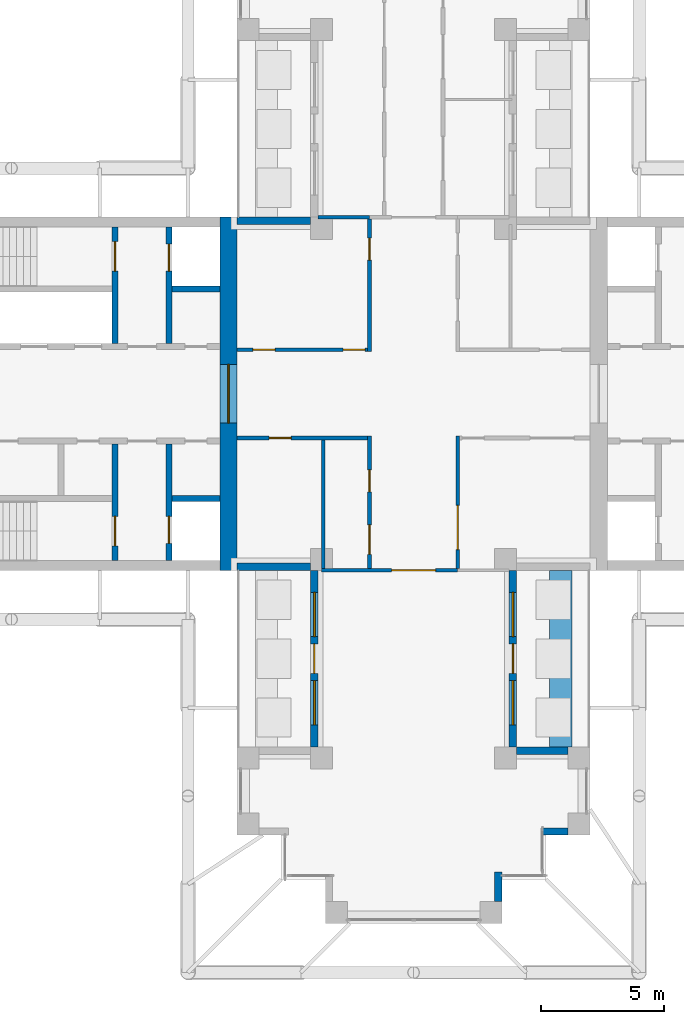
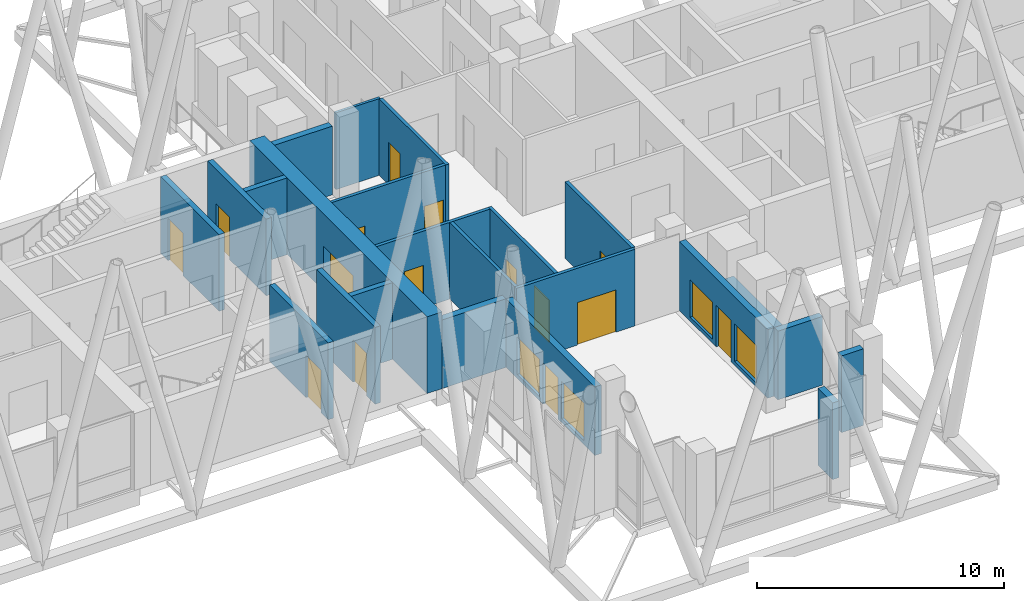
# One storey, part 12 of 19: 23 walls, 15 doors, 4 windows, 19 openings.
"""IFC4 building model written with IfcOpenShell, lengths in metres."""

from ifc_helpers import new_model, si_unit, direction, frame, frame_2d, origin, place, context, subcontext, project, spatial, rectangle, extrude, material, layer, layer_set, type_object, element, fill, save


model = new_model("IFC4")

# Units and contexts
model_context = context("Model", 3, precision=1e-05, world=origin(), true_north=direction((0.0, 1.0)))
body_context = subcontext(model_context, "Body", "Model", "MODEL_VIEW")
ifc_project = project(units=[si_unit("LENGTHUNIT", "METRE"), si_unit("AREAUNIT", "SQUARE_METRE"), si_unit("VOLUMEUNIT", "CUBIC_METRE"), si_unit("PLANEANGLEUNIT", "RADIAN"), si_unit("MASSUNIT", "GRAM", prefix="KILO")], contexts=[model_context])

# Site, building, storey
site_placement = place(None, origin())
site = spatial("IfcSite", under=ifc_project, at=site_placement, CompositionType="ELEMENT")
building_placement = place(site_placement, origin())
building = spatial("IfcBuilding", under=site, at=building_placement, Name="Fustian Cross Tower", CompositionType="ELEMENT")
storey_placement = place(building_placement, frame((0.0, 0.0, 166.5)))
storey = spatial("IfcBuildingStorey", under=building, at=storey_placement, Name="L52", CompositionType="ELEMENT", Elevation=166.5)

# Wall, opening, door
ifc_material_1 = material(Name="Plasterboard on steel stud", Category="steel")
ifc_layer_1 = layer(ifc_material_1, 0.14990234375)
ifc_layer_set_1 = layer_set([ifc_layer_1], Name="Plasterboard on steel stud")
wall_type_1 = type_object("IfcWallType", Name="COMPARTMENT WALL 150 EI 60", PredefinedType="PARTITIONING", material=ifc_layer_set_1)
wall_1_placement = place(storey_placement, frame((-7.199951171875, -1.800048828125, 0.0), z_axis=(0.0, 0.0, 1.0), x_axis=(1.0, 0.0, 0.0)))
wall_1 = element("IfcWall", 1, at=wall_1_placement, inside=storey, type_object=wall_type_1, Name="Partition 5", PredefinedType="PARTITIONING", context=body_context, shape_type="SweptSolid", body=[
    extrude(rectangle(XDim=5.324951171875, YDim=0.14990234375, at=frame_2d((2.66259765625, 0.0))), origin(), (0.0, 0.0, 1.0), 3.800048828125),
])
opening_1_placement = place(wall_1_placement, frame((1.304931640625, 0.0, 0.0)))
opening_1 = element("IfcOpeningElement", 2, at=opening_1_placement, cuts=wall_1, Name="Opening D24009", PredefinedType="OPENING", context=body_context, shape_type="SweptSolid", body=[
    extrude(rectangle(XDim=0.89990234375, YDim=2.10009765625, at=frame_2d((0.449951171875, 1.050048828125))), frame((0.0, 0.0849609375, 0.0), z_axis=(0.0, -1.0, 0.0), x_axis=(1.0, 0.0, 0.0)), (0.0, 0.0, 1.0), 0.169921875),
])
ifc_material_2 = material(Name="Timber fire door set", Category="wood")
door_type_1 = type_object("IfcDoorType", Name="FIRE SWING DOOR 900 FD30S", OperationType="SINGLE_SWING_LEFT", PredefinedType="DOOR", material=ifc_material_2)
door_1_placement = place(opening_1_placement, origin())
door_1 = element("IfcDoor", 3, at=door_1_placement, inside=storey, type_object=door_type_1, Name="Door D24009", OperationType="SINGLE_SWING_LEFT", OverallHeight=2.10009765625, OverallWidth=0.89990234375, PredefinedType="DOOR", context=body_context, shape_type="SweptSolid", body=[
    extrude(rectangle(XDim=0.89990234375, YDim=2.10009765625, at=frame_2d((0.449951171875, 1.050048828125))), frame((0.0, 0.02490234375, 0.0), z_axis=(0.0, -1.0, 0.0), x_axis=(1.0, 0.0, 0.0)), (0.0, 0.0, 1.0), 0.050048828125),
])
fill(opening_1, door_1)

# Wall, openings, doors
wall_2_placement = place(storey_placement, frame((-7.199951171875, 1.800048828125, 0.0), z_axis=(0.0, 0.0, 1.0), x_axis=(1.0, 0.0, 0.0)))
wall_2 = element("IfcWall", 4, at=wall_2_placement, inside=storey, type_object=wall_type_1, Name="Partition 6", PredefinedType="PARTITIONING", context=body_context, shape_type="SweptSolid", body=[
    extrude(rectangle(XDim=5.324951171875, YDim=0.14990234375, at=frame_2d((2.66259765625, 0.0))), origin(), (0.0, 0.0, 1.0), 3.800048828125),
])
opening_2_placement = place(wall_2_placement, frame((0.64990234375, 0.0, 0.0)))
opening_2 = element("IfcOpeningElement", 5, at=opening_2_placement, cuts=wall_2, Name="Opening D24004", PredefinedType="OPENING", context=body_context, shape_type="SweptSolid", body=[
    extrude(rectangle(XDim=0.89990234375, YDim=2.10009765625, at=frame_2d((0.449951171875, 1.050048828125))), frame((0.0, 0.0849609375, 0.0), z_axis=(0.0, -1.0, 0.0), x_axis=(1.0, 0.0, 0.0)), (0.0, 0.0, 1.0), 0.169921875),
])
opening_3_placement = place(wall_2_placement, frame((4.324951171875, 0.0, 0.0)))
opening_3 = element("IfcOpeningElement", 6, at=opening_3_placement, cuts=wall_2, Name="Opening D24005", PredefinedType="OPENING", context=body_context, shape_type="SweptSolid", body=[
    extrude(rectangle(XDim=0.89990234375, YDim=2.10009765625, at=frame_2d((0.449951171875, 1.050048828125))), frame((0.0, 0.0849609375, 0.0), z_axis=(0.0, -1.0, 0.0), x_axis=(1.0, 0.0, 0.0)), (0.0, 0.0, 1.0), 0.169921875),
])
door_2_placement = place(opening_2_placement, origin())
door_2 = element("IfcDoor", 7, at=door_2_placement, inside=storey, type_object=door_type_1, Name="Door D24004", OperationType="SINGLE_SWING_LEFT", OverallHeight=2.10009765625, OverallWidth=0.89990234375, PredefinedType="DOOR", context=body_context, shape_type="SweptSolid", body=[
    extrude(rectangle(XDim=0.89990234375, YDim=2.10009765625, at=frame_2d((0.449951171875, 1.050048828125))), frame((0.0, 0.02490234375, 0.0), z_axis=(0.0, -1.0, 0.0), x_axis=(1.0, 0.0, 0.0)), (0.0, 0.0, 1.0), 0.050048828125),
])
fill(opening_2, door_2)
door_3_placement = place(opening_3_placement, origin())
door_3 = element("IfcDoor", 8, at=door_3_placement, inside=storey, type_object=door_type_1, Name="Door D24005", OperationType="SINGLE_SWING_RIGHT", OverallHeight=2.10009765625, OverallWidth=0.89990234375, PredefinedType="DOOR", context=body_context, shape_type="SweptSolid", body=[
    extrude(rectangle(XDim=0.89990234375, YDim=2.10009765625, at=frame_2d((0.449951171875, 1.050048828125))), frame((0.0, 0.02490234375, 0.0), z_axis=(0.0, -1.0, 0.0), x_axis=(1.0, 0.0, 0.0)), (0.0, 0.0, 1.0), 0.050048828125),
])
fill(opening_3, door_3)

# Wall
wall_3_placement = place(storey_placement, frame((-3.68994140625, -7.125, 0.0), z_axis=(0.0, 0.0, 1.0), x_axis=(0.0, 1.0, 0.0)))
element("IfcWall", 9, at=wall_3_placement, inside=storey, type_object=wall_type_1, Name="Partition 9", PredefinedType="PARTITIONING", context=body_context, shape_type="SweptSolid", body=[
    extrude(rectangle(XDim=5.25, YDim=0.14990234375, at=frame_2d((2.625, 0.0))), origin(), (0.0, 0.0, 1.0), 3.800048828125),
])

# Wall, opening, door
wall_4_placement = place(storey_placement, frame((-3.764892578125, -7.199951171875, 0.0), z_axis=(0.0, 0.0, 1.0), x_axis=(1.0, 0.0, 0.0)))
wall_4 = element("IfcWall", 10, at=wall_4_placement, inside=storey, type_object=wall_type_1, Name="Partition 10", PredefinedType="PARTITIONING", context=body_context, shape_type="SweptSolid", body=[
    extrude(rectangle(XDim=5.56494140625, YDim=0.14990234375, at=frame_2d((2.782470703125, 0.0))), origin(), (0.0, 0.0, 1.0), 3.800048828125),
])
opening_4_placement = place(wall_4_placement, frame((2.864990234375, 0.0, 0.0)))
opening_4 = element("IfcOpeningElement", 11, at=opening_4_placement, cuts=wall_4, Name="Opening D24022", PredefinedType="OPENING", context=body_context, shape_type="SweptSolid", body=[
    extrude(rectangle(XDim=1.800048828125, YDim=2.10009765625, at=frame_2d((0.89990234375, 1.050048828125))), frame((0.0, 0.0849609375, 0.0), z_axis=(0.0, -1.0, 0.0), x_axis=(1.0, 0.0, 0.0)), (0.0, 0.0, 1.0), 0.169921875),
])
ifc_material_3 = material(Name="Timber fire door set", Category="wood")
door_type_2 = type_object("IfcDoorType", Name="FIRE DOUBLE DOOR 1800 FD30S", OperationType="DOUBLE_DOOR_DOUBLE_SWING", PredefinedType="DOOR", material=ifc_material_3)
door_4_placement = place(opening_4_placement, frame((1.800048828125, 0.0, 0.0), z_axis=(0.0, 0.0, 1.0), x_axis=(-1.0, 0.0, 0.0)))
door_4 = element("IfcDoor", 12, at=door_4_placement, inside=storey, type_object=door_type_2, Name="Door D24022", OperationType="DOUBLE_DOOR_DOUBLE_SWING", OverallHeight=2.10009765625, OverallWidth=1.800048828125, PredefinedType="DOOR", context=body_context, shape_type="SweptSolid", body=[
    extrude(rectangle(XDim=1.800048828125, YDim=2.10009765625, at=frame_2d((0.89990234375, 1.050048828125))), frame((0.0, 0.02490234375, 0.0), z_axis=(0.0, -1.0, 0.0), x_axis=(1.0, 0.0, 0.0)), (0.0, 0.0, 1.0), 0.050048828125),
])
fill(opening_4, door_4)

# Wall, openings, doors
wall_5_placement = place(storey_placement, frame((-1.800048828125, -7.125, 0.0), z_axis=(0.0, 0.0, 1.0), x_axis=(0.0, 1.0, 0.0)))
wall_5 = element("IfcWall", 13, at=wall_5_placement, inside=storey, type_object=wall_type_1, Name="Partition 11", PredefinedType="PARTITIONING", context=body_context, shape_type="SweptSolid", body=[
    extrude(rectangle(XDim=5.39990234375, YDim=0.14990234375, at=frame_2d((2.699951171875, 0.0))), origin(), (0.0, 0.0, 1.0), 3.800048828125),
])
opening_5_placement = place(wall_5_placement, frame((0.574951171875, 0.0, 0.0)))
opening_5 = element("IfcOpeningElement", 14, at=opening_5_placement, cuts=wall_5, Name="Opening D24007", PredefinedType="OPENING", context=body_context, shape_type="SweptSolid", body=[
    extrude(rectangle(XDim=1.199951171875, YDim=2.10009765625, at=frame_2d((0.60009765625, 1.050048828125))), frame((0.0, 0.0849609375, 0.0), z_axis=(0.0, -1.0, 0.0), x_axis=(1.0, 0.0, 0.0)), (0.0, 0.0, 1.0), 0.169921875),
])
opening_6_placement = place(wall_5_placement, frame((3.1201171875, 0.0, 0.0)))
opening_6 = element("IfcOpeningElement", 15, at=opening_6_placement, cuts=wall_5, Name="Opening D24008", PredefinedType="OPENING", context=body_context, shape_type="SweptSolid", body=[
    extrude(rectangle(XDim=0.89990234375, YDim=2.10009765625, at=frame_2d((0.449951171875, 1.050048828125))), frame((0.0, 0.0849609375, 0.0), z_axis=(0.0, -1.0, 0.0), x_axis=(1.0, 0.0, 0.0)), (0.0, 0.0, 1.0), 0.169921875),
])
ifc_material_4 = material(Name="Timber fire door set", Category="wood")
door_type_3 = type_object("IfcDoorType", Name="FIRE SWING DOOR 1200 FD30S", OperationType="SINGLE_SWING_LEFT", PredefinedType="DOOR", material=ifc_material_4)
door_5_placement = place(opening_5_placement, origin())
door_5 = element("IfcDoor", 16, at=door_5_placement, inside=storey, type_object=door_type_3, Name="Door D24007", OperationType="SINGLE_SWING_LEFT", OverallHeight=2.10009765625, OverallWidth=1.199951171875, PredefinedType="DOOR", context=body_context, shape_type="SweptSolid", body=[
    extrude(rectangle(XDim=1.199951171875, YDim=2.10009765625, at=frame_2d((0.60009765625, 1.050048828125))), frame((0.0, 0.02490234375, 0.0), z_axis=(0.0, -1.0, 0.0), x_axis=(1.0, 0.0, 0.0)), (0.0, 0.0, 1.0), 0.050048828125),
])
fill(opening_5, door_5)
door_6_placement = place(opening_6_placement, origin())
door_6 = element("IfcDoor", 17, at=door_6_placement, inside=storey, type_object=door_type_1, Name="Door D24008", OperationType="SINGLE_SWING_RIGHT", OverallHeight=2.10009765625, OverallWidth=0.89990234375, PredefinedType="DOOR", context=body_context, shape_type="SweptSolid", body=[
    extrude(rectangle(XDim=0.89990234375, YDim=2.10009765625, at=frame_2d((0.449951171875, 1.050048828125))), frame((0.0, 0.02490234375, 0.0), z_axis=(0.0, -1.0, 0.0), x_axis=(1.0, 0.0, 0.0)), (0.0, 0.0, 1.0), 0.050048828125),
])
fill(opening_6, door_6)

# Wall, opening, door
wall_6_placement = place(storey_placement, frame((-1.800048828125, 1.72509765625, 0.0), z_axis=(0.0, 0.0, 1.0), x_axis=(0.0, 1.0, 0.0)))
wall_6 = element("IfcWall", 18, at=wall_6_placement, inside=storey, type_object=wall_type_1, Name="Partition 12", PredefinedType="PARTITIONING", context=body_context, shape_type="SweptSolid", body=[
    extrude(rectangle(XDim=5.39990234375, YDim=0.14990234375, at=frame_2d((2.699951171875, 0.0))), origin(), (0.0, 0.0, 1.0), 3.800048828125),
])
opening_7_placement = place(wall_6_placement, frame((3.72509765625, 0.0, 0.0)))
opening_7 = element("IfcOpeningElement", 19, at=opening_7_placement, cuts=wall_6, Name="Opening D24006", PredefinedType="OPENING", context=body_context, shape_type="SweptSolid", body=[
    extrude(rectangle(XDim=0.89990234375, YDim=2.10009765625, at=frame_2d((0.449951171875, 1.050048828125))), frame((0.0, 0.0849609375, 0.0), z_axis=(0.0, -1.0, 0.0), x_axis=(1.0, 0.0, 0.0)), (0.0, 0.0, 1.0), 0.169921875),
])
door_7_placement = place(opening_7_placement, origin())
door_7 = element("IfcDoor", 20, at=door_7_placement, inside=storey, type_object=door_type_1, Name="Door D24006", OperationType="SINGLE_SWING_RIGHT", OverallHeight=2.10009765625, OverallWidth=0.89990234375, PredefinedType="DOOR", context=body_context, shape_type="SweptSolid", body=[
    extrude(rectangle(XDim=0.89990234375, YDim=2.10009765625, at=frame_2d((0.449951171875, 1.050048828125))), frame((0.0, 0.02490234375, 0.0), z_axis=(0.0, -1.0, 0.0), x_axis=(1.0, 0.0, 0.0)), (0.0, 0.0, 1.0), 0.050048828125),
])
fill(opening_7, door_7)

wall_7_placement = place(storey_placement, frame((1.800048828125, -7.125, 0.0), z_axis=(0.0, 0.0, 1.0), x_axis=(0.0, 1.0, 0.0)))
wall_7 = element("IfcWall", 21, at=wall_7_placement, inside=storey, type_object=wall_type_1, Name="Partition 17", PredefinedType="PARTITIONING", context=body_context, shape_type="SweptSolid", body=[
    extrude(rectangle(XDim=5.39990234375, YDim=0.14990234375, at=frame_2d((2.699951171875, 0.0))), origin(), (0.0, 0.0, 1.0), 3.800048828125),
])
opening_8_placement = place(wall_7_placement, frame((0.77490234375, 0.0, 0.0)))
opening_8 = element("IfcOpeningElement", 22, at=opening_8_placement, cuts=wall_7, Name="Opening D24010", PredefinedType="OPENING", context=body_context, shape_type="SweptSolid", body=[
    extrude(rectangle(XDim=1.800048828125, YDim=2.10009765625, at=frame_2d((0.89990234375, 1.050048828125))), frame((0.0, 0.0849609375, 0.0), z_axis=(0.0, -1.0, 0.0), x_axis=(1.0, 0.0, 0.0)), (0.0, 0.0, 1.0), 0.169921875),
])
door_8_placement = place(opening_8_placement, origin())
door_8 = element("IfcDoor", 23, at=door_8_placement, inside=storey, type_object=door_type_2, Name="Door D24010", OperationType="DOUBLE_DOOR_DOUBLE_SWING", OverallHeight=2.10009765625, OverallWidth=1.800048828125, PredefinedType="DOOR", context=body_context, shape_type="SweptSolid", body=[
    extrude(rectangle(XDim=1.800048828125, YDim=2.10009765625, at=frame_2d((0.89990234375, 1.050048828125))), frame((0.0, 0.02490234375, 0.0), z_axis=(0.0, -1.0, 0.0), x_axis=(1.0, 0.0, 0.0)), (0.0, 0.0, 1.0), 0.050048828125),
])
fill(opening_8, door_8)

ifc_material_5 = material(Name="Concrete C50/60", Category="concrete")
ifc_layer_2 = layer(ifc_material_5, 0.699951171875)
ifc_layer_set_2 = layer_set([ifc_layer_2], Name="Concrete C50/60")
wall_type_2 = type_object("IfcWallType", Name="CORE END WALL 700 C50/60", PredefinedType="SHEAR", material=ifc_layer_set_2)
wall_8_placement = place(storey_placement, frame((-7.550048828125, -7.199951171875, 0.0), z_axis=(0.0, 0.0, 1.0), x_axis=(0.0, 1.0, 0.0)))
wall_8 = element("IfcWall", 24, at=wall_8_placement, inside=storey, type_object=wall_type_2, Name="Core end wall", PredefinedType="SHEAR", context=body_context, shape_type="SweptSolid", body=[
    extrude(rectangle(XDim=14.39990234375, YDim=0.699951171875, at=frame_2d((7.199951171875, 0.0))), origin(), (0.0, 0.0, 1.0), 3.800048828125),
])
opening_9_placement = place(wall_8_placement, frame((6.0, 0.0, 0.0)))
opening_9 = element("IfcOpeningElement", 25, at=opening_9_placement, cuts=wall_8, Name="Opening CD-21-29", PredefinedType="OPENING", context=body_context, shape_type="SweptSolid", body=[
    extrude(rectangle(XDim=2.39990234375, YDim=2.199951171875, at=frame_2d((1.199951171875, 1.10009765625))), frame((0.0, 0.35986328125, 0.0), z_axis=(0.0, -1.0, 0.0), x_axis=(1.0, 0.0, 0.0)), (0.0, 0.0, 1.0), 0.719970703125),
])
ifc_material_6 = material(Name="Steel", Category="steel")
door_type_4 = type_object("IfcDoorType", Name="FIRE DOOR FD30S DOUBLE 2400X2200", OperationType="DOUBLE_DOOR_DOUBLE_SWING", PredefinedType="DOOR", material=ifc_material_6)
door_9_placement = place(opening_9_placement, origin())
door_9 = element("IfcDoor", 26, at=door_9_placement, inside=storey, type_object=door_type_4, Name="Core door CD-21-29", OperationType="DOUBLE_DOOR_DOUBLE_SWING", OverallHeight=2.199951171875, OverallWidth=2.39990234375, PredefinedType="DOOR", context=body_context, shape_type="SweptSolid", body=[
    extrude(rectangle(XDim=2.39990234375, YDim=2.199951171875, at=frame_2d((1.199951171875, 1.10009765625))), frame((0.0, 0.02490234375, 0.0), z_axis=(0.0, -1.0, 0.0), x_axis=(1.0, 0.0, 0.0)), (0.0, 0.0, 1.0), 0.050048828125),
])
fill(opening_9, door_9)

# Wall
ifc_material_7 = material(Name="Concrete C50/60", Category="concrete")
ifc_layer_3 = layer(ifc_material_7, 0.25)
ifc_layer_set_3 = layer_set([ifc_layer_3], Name="Concrete C50/60")
wall_type_3 = type_object("IfcWallType", Name="CORE SHAFT WALL 250 C50/60", PredefinedType="SHEAR", material=ifc_layer_set_3)
wall_9_placement = place(storey_placement, frame((-7.89990234375, 4.27490234375, 0.0), z_axis=(0.0, 0.0, 1.0), x_axis=(-1.0, 0.0, 0.0)))
element("IfcWall", 27, at=wall_9_placement, inside=storey, type_object=wall_type_3, Name="Core shaft wall", PredefinedType="SHEAR", context=body_context, shape_type="SweptSolid", body=[
    extrude(rectangle(XDim=1.9501953125, YDim=0.25, at=frame_2d((0.97509765625, 0.0))), origin(), (0.0, 0.0, 1.0), 3.800048828125),
])

# Wall, opening, door
wall_10_placement = place(storey_placement, frame((-9.97509765625, 2.050048828125, 0.0), z_axis=(0.0, 0.0, 1.0), x_axis=(0.0, 1.0, 0.0)))
wall_10 = element("IfcWall", 28, at=wall_10_placement, inside=storey, type_object=wall_type_3, Name="Core shaft wall", PredefinedType="SHEAR", context=body_context, shape_type="SweptSolid", body=[
    extrude(rectangle(XDim=4.75, YDim=0.25, at=frame_2d((2.375, 0.0))), origin(), (0.0, 0.0, 1.0), 3.800048828125),
])
opening_10_placement = place(wall_10_placement, frame((2.949951171875, 0.0, 0.0)))
opening_10 = element("IfcOpeningElement", 29, at=opening_10_placement, cuts=wall_10, Name="Opening LD", PredefinedType="OPENING", context=body_context, shape_type="SweptSolid", body=[
    extrude(rectangle(XDim=1.10009765625, YDim=2.10009765625, at=frame_2d((0.550048828125, 1.050048828125))), frame((0.0, 0.135009765625, 0.0), z_axis=(0.0, -1.0, 0.0), x_axis=(1.0, 0.0, 0.0)), (0.0, 0.0, 1.0), 0.27001953125),
])
ifc_material_8 = material(Name="Stainless steel", Category="steel")
door_type_5 = type_object("IfcDoorType", Name="LIFT LANDING DOOR 1100X2100", OperationType="SLIDING_TO_LEFT", PredefinedType="DOOR", material=ifc_material_8)
door_10_placement = place(opening_10_placement, origin())
door_10 = element("IfcDoor", 30, at=door_10_placement, inside=storey, type_object=door_type_5, Name="Landing door FL1W", OperationType="SLIDING_TO_LEFT", OverallHeight=2.10009765625, OverallWidth=1.10009765625, PredefinedType="DOOR", context=body_context, shape_type="SweptSolid", body=[
    extrude(rectangle(XDim=1.10009765625, YDim=2.10009765625, at=frame_2d((0.550048828125, 1.050048828125))), frame((0.0, 0.02490234375, 0.0), z_axis=(0.0, -1.0, 0.0), x_axis=(1.0, 0.0, 0.0)), (0.0, 0.0, 1.0), 0.050048828125),
])
fill(opening_10, door_10)

wall_11_placement = place(storey_placement, frame((-12.175048828125, 2.050048828125, 0.0), z_axis=(0.0, 0.0, 1.0), x_axis=(0.0, 1.0, 0.0)))
wall_11 = element("IfcWall", 31, at=wall_11_placement, inside=storey, type_object=wall_type_3, Name="Core shaft wall", PredefinedType="SHEAR", context=body_context, shape_type="SweptSolid", body=[
    extrude(rectangle(XDim=4.75, YDim=0.25, at=frame_2d((2.375, 0.0))), origin(), (0.0, 0.0, 1.0), 3.800048828125),
])
opening_11_placement = place(wall_11_placement, frame((2.949951171875, 0.0, 0.0)))
opening_11 = element("IfcOpeningElement", 32, at=opening_11_placement, cuts=wall_11, Name="Opening CD-21-23", PredefinedType="OPENING", context=body_context, shape_type="SweptSolid", body=[
    extrude(rectangle(XDim=1.199951171875, YDim=2.10009765625, at=frame_2d((0.60009765625, 1.050048828125))), frame((0.0, 0.135009765625, 0.0), z_axis=(0.0, -1.0, 0.0), x_axis=(1.0, 0.0, 0.0)), (0.0, 0.0, 1.0), 0.27001953125),
])
ifc_material_9 = material(Name="Steel", Category="steel")
door_type_6 = type_object("IfcDoorType", Name="FIRE DOOR FD60S 1200X2100", OperationType="SINGLE_SWING_LEFT", PredefinedType="DOOR", material=ifc_material_9)
door_11_placement = place(opening_11_placement, origin())
door_11 = element("IfcDoor", 33, at=door_11_placement, inside=storey, type_object=door_type_6, Name="Core door CD-21-23", OperationType="SINGLE_SWING_LEFT", OverallHeight=2.10009765625, OverallWidth=1.199951171875, PredefinedType="DOOR", context=body_context, shape_type="SweptSolid", body=[
    extrude(rectangle(XDim=1.199951171875, YDim=2.10009765625, at=frame_2d((0.60009765625, 1.050048828125))), frame((0.0, 0.02490234375, 0.0), z_axis=(0.0, -1.0, 0.0), x_axis=(1.0, 0.0, 0.0)), (0.0, 0.0, 1.0), 0.050048828125),
])
fill(opening_11, door_11)

# Wall
wall_12_placement = place(storey_placement, frame((-7.89990234375, -4.27490234375, 0.0), z_axis=(0.0, 0.0, 1.0), x_axis=(-1.0, 0.0, 0.0)))
element("IfcWall", 34, at=wall_12_placement, inside=storey, type_object=wall_type_3, Name="Core shaft wall", PredefinedType="SHEAR", context=body_context, shape_type="SweptSolid", body=[
    extrude(rectangle(XDim=1.9501953125, YDim=0.25, at=frame_2d((0.97509765625, 0.0))), origin(), (0.0, 0.0, 1.0), 3.800048828125),
])

# Wall, opening, door
wall_13_placement = place(storey_placement, frame((-9.97509765625, -2.050048828125, 0.0), z_axis=(0.0, 0.0, 1.0), x_axis=(0.0, -1.0, 0.0)))
wall_13 = element("IfcWall", 35, at=wall_13_placement, inside=storey, type_object=wall_type_3, Name="Core shaft wall", PredefinedType="SHEAR", context=body_context, shape_type="SweptSolid", body=[
    extrude(rectangle(XDim=4.75, YDim=0.25, at=frame_2d((2.375, 0.0))), origin(), (0.0, 0.0, 1.0), 3.800048828125),
])
opening_12_placement = place(wall_13_placement, frame((2.949951171875, 0.0, 0.0)))
opening_12 = element("IfcOpeningElement", 36, at=opening_12_placement, cuts=wall_13, Name="Opening LD", PredefinedType="OPENING", context=body_context, shape_type="SweptSolid", body=[
    extrude(rectangle(XDim=1.10009765625, YDim=2.10009765625, at=frame_2d((0.550048828125, 1.050048828125))), frame((0.0, 0.135009765625, 0.0), z_axis=(0.0, -1.0, 0.0), x_axis=(1.0, 0.0, 0.0)), (0.0, 0.0, 1.0), 0.27001953125),
])
door_12_placement = place(opening_12_placement, origin())
door_12 = element("IfcDoor", 37, at=door_12_placement, inside=storey, type_object=door_type_5, Name="Landing door SV1W", OperationType="SLIDING_TO_LEFT", OverallHeight=2.10009765625, OverallWidth=1.10009765625, PredefinedType="DOOR", context=body_context, shape_type="SweptSolid", body=[
    extrude(rectangle(XDim=1.10009765625, YDim=2.10009765625, at=frame_2d((0.550048828125, 1.050048828125))), frame((0.0, 0.02490234375, 0.0), z_axis=(0.0, -1.0, 0.0), x_axis=(1.0, 0.0, 0.0)), (0.0, 0.0, 1.0), 0.050048828125),
])
fill(opening_12, door_12)

wall_14_placement = place(storey_placement, frame((-12.175048828125, -2.050048828125, 0.0), z_axis=(0.0, 0.0, 1.0), x_axis=(0.0, -1.0, 0.0)))
wall_14 = element("IfcWall", 38, at=wall_14_placement, inside=storey, type_object=wall_type_3, Name="Core shaft wall", PredefinedType="SHEAR", context=body_context, shape_type="SweptSolid", body=[
    extrude(rectangle(XDim=4.75, YDim=0.25, at=frame_2d((2.375, 0.0))), origin(), (0.0, 0.0, 1.0), 3.800048828125),
])
opening_13_placement = place(wall_14_placement, frame((2.949951171875, 0.0, 0.0)))
opening_13 = element("IfcOpeningElement", 39, at=opening_13_placement, cuts=wall_14, Name="Opening CD-21-24", PredefinedType="OPENING", context=body_context, shape_type="SweptSolid", body=[
    extrude(rectangle(XDim=1.199951171875, YDim=2.10009765625, at=frame_2d((0.60009765625, 1.050048828125))), frame((0.0, 0.135009765625, 0.0), z_axis=(0.0, -1.0, 0.0), x_axis=(1.0, 0.0, 0.0)), (0.0, 0.0, 1.0), 0.27001953125),
])
door_13_placement = place(opening_13_placement, frame((1.199951171875, 0.0, 0.0), z_axis=(0.0, 0.0, 1.0), x_axis=(-1.0, 0.0, 0.0)))
door_13 = element("IfcDoor", 40, at=door_13_placement, inside=storey, type_object=door_type_6, Name="Core door CD-21-24", OperationType="SINGLE_SWING_RIGHT", OverallHeight=2.10009765625, OverallWidth=1.199951171875, PredefinedType="DOOR", context=body_context, shape_type="SweptSolid", body=[
    extrude(rectangle(XDim=1.199951171875, YDim=2.10009765625, at=frame_2d((0.60009765625, 1.050048828125))), frame((0.0, 0.02490234375, 0.0), z_axis=(0.0, -1.0, 0.0), x_axis=(1.0, 0.0, 0.0)), (0.0, 0.0, 1.0), 0.050048828125),
])
fill(opening_13, door_13)

# Walls
ifc_material_10 = material(Name="Concrete C40/50", Category="concrete")
ifc_layer_4 = layer(ifc_material_10, 0.89990234375)
ifc_layer_set_4 = layer_set([ifc_layer_4], Name="Concrete C40/50")
wall_type_4 = type_object("IfcWallType", Name="PK1 PLANTER 900", PredefinedType="PARAPET", material=ifc_layer_set_4)
wall_15_placement = place(storey_placement, frame((6.0, -14.39990234375, 0.0), z_axis=(0.0, 0.0, 1.0), x_axis=(0.0, 1.0, 0.0)))
element("IfcWall", 41, at=wall_15_placement, inside=storey, type_object=wall_type_4, Name="PLANTER", PredefinedType="PARAPET", context=body_context, shape_type="SweptSolid", body=[
    extrude(rectangle(XDim=7.199951171875, YDim=0.89990234375, at=frame_2d((3.60009765625, 0.0))), origin(), (0.0, 0.0, 1.0), 0.800048828125),
])
ifc_material_11 = material(Name="Plasterboard on steel stud", Category="steel")
ifc_layer_5 = layer(ifc_material_11, 0.125)
ifc_layer_set_5 = layer_set([ifc_layer_5], Name="Plasterboard on steel stud")
wall_type_5 = type_object("IfcWallType", Name="WET WALL 125 STUD", PredefinedType="PARTITIONING", material=ifc_layer_set_5)
wall_16_placement = place(storey_placement, frame((-3.89990234375, 7.199951171875, 0.0), z_axis=(0.0, 0.0, 1.0), x_axis=(1.0, 0.0, 0.0)))
element("IfcWall", 42, at=wall_16_placement, inside=storey, type_object=wall_type_5, Name="Partition 8", PredefinedType="PARTITIONING", context=body_context, shape_type="SweptSolid", body=[
    extrude(rectangle(XDim=2.099853515625, YDim=0.125, at=frame_2d((1.0498046875, 0.0))), origin(), (0.0, 0.0, 1.0), 3.800048828125),
])
ifc_material_12 = material(Name="Dark aluminium cladding on insulated backing wall", Category="aluminium")
ifc_layer_6 = layer(ifc_material_12, 0.300048828125)
ifc_layer_set_6 = layer_set([ifc_layer_6], Name="Dark aluminium cladding on insulated backing wall")
wall_type_6 = type_object("IfcWallType", Name="XW1 EXTERNAL WALL 300", PredefinedType="SOLIDWALL", material=ifc_layer_set_6)
for number, where, z_axis, x_axis, name in (
    (43, (-4.199951171875, 7.050048828125, 0.0), (0.0, 0.0, 1.0), (-1.0, 0.0, 0.0), "External wall"),
    (44, (-7.199951171875, -7.050048828125, 0.0), (0.0, 0.0, 1.0), (1.0, 0.0, 0.0), "External wall"),
):
    element("IfcWall", number, at=place(storey_placement, frame(where, z_axis=z_axis, x_axis=x_axis)), inside=storey, type_object=wall_type_6, Name=name, PredefinedType="SOLIDWALL", context=body_context, shape_type="SweptSolid", body=[
        extrude(rectangle(XDim=3.0, YDim=0.300048828125, at=frame_2d((1.5, 0.0))), origin(), (0.0, 0.0, 1.0), 3.39990234375),
    ])

# Wall, openings, door, windows
wall_17_placement = place(storey_placement, frame((-4.050048828125, -7.199951171875, 0.0), z_axis=(0.0, 0.0, 1.0), x_axis=(0.0, -1.0, 0.0)))
wall_17 = element("IfcWall", 45, at=wall_17_placement, inside=storey, type_object=wall_type_6, Name="External wall", PredefinedType="SOLIDWALL", context=body_context, shape_type="SweptSolid", body=[
    extrude(rectangle(XDim=7.199951171875, YDim=0.300048828125, at=frame_2d((3.60009765625, 0.0))), origin(), (0.0, 0.0, 1.0), 3.39990234375),
])
opening_14_placement = place(wall_17_placement, frame((3.0, 0.0, 0.0)))
opening_14 = element("IfcOpeningElement", 46, at=opening_14_placement, cuts=wall_17, Name="Opening XD4", PredefinedType="OPENING", context=body_context, shape_type="SweptSolid", body=[
    extrude(rectangle(XDim=1.199951171875, YDim=2.050048828125, at=frame_2d((0.60009765625, 1.02490234375))), frame((0.0, 0.159912109375, 0.0), z_axis=(0.0, -1.0, 0.0), x_axis=(1.0, 0.0, 0.0)), (0.0, 0.0, 1.0), 0.320068359375),
])
opening_15_placement = place(wall_17_placement, frame((0.89990234375, 0.0, 0.199951171875)))
opening_15 = element("IfcOpeningElement", 47, at=opening_15_placement, cuts=wall_17, Name="Opening WN2", PredefinedType="OPENING", context=body_context, shape_type="SweptSolid", body=[
    extrude(rectangle(XDim=1.800048828125, YDim=1.85009765625, at=frame_2d((0.89990234375, 0.925048828125))), frame((0.0, 0.159912109375, 0.0), z_axis=(0.0, -1.0, 0.0), x_axis=(1.0, 0.0, 0.0)), (0.0, 0.0, 1.0), 0.320068359375),
])
opening_16_placement = place(wall_17_placement, frame((4.5, 0.0, 0.199951171875)))
opening_16 = element("IfcOpeningElement", 48, at=opening_16_placement, cuts=wall_17, Name="Opening WN2", PredefinedType="OPENING", context=body_context, shape_type="SweptSolid", body=[
    extrude(rectangle(XDim=1.800048828125, YDim=1.85009765625, at=frame_2d((0.89990234375, 0.925048828125))), frame((0.0, 0.159912109375, 0.0), z_axis=(0.0, -1.0, 0.0), x_axis=(1.0, 0.0, 0.0)), (0.0, 0.0, 1.0), 0.320068359375),
])
ifc_material_13 = material(Name="Dark anodised aluminium and double glazing", Category="aluminium")
door_type_7 = type_object("IfcDoorType", Name="ED1 BALCONY DOOR 1200X2050", OperationType="SINGLE_SWING_LEFT", PredefinedType="DOOR", material=ifc_material_13)
door_14_placement = place(opening_14_placement, origin())
door_14 = element("IfcDoor", 49, at=door_14_placement, inside=storey, type_object=door_type_7, Name="Balcony door", OperationType="SINGLE_SWING_LEFT", OverallHeight=2.050048828125, OverallWidth=1.199951171875, PredefinedType="DOOR", context=body_context, shape_type="SweptSolid", body=[
    extrude(rectangle(XDim=1.199951171875, YDim=2.050048828125, at=frame_2d((0.60009765625, 1.02490234375))), frame((0.0, 0.02490234375, 0.0), z_axis=(0.0, -1.0, 0.0), x_axis=(1.0, 0.0, 0.0)), (0.0, 0.0, 1.0), 0.050048828125),
])
fill(opening_14, door_14)
ifc_material_14 = material(Name="Dark anodised aluminium and double glazing", Category="aluminium")
window_type = type_object("IfcWindowType", Name="WN2 WINDOW 1800X1850", PartitioningType="SINGLE_PANEL", PredefinedType="WINDOW", material=ifc_material_14)
window_1_placement = place(opening_15_placement, origin())
window_1 = element("IfcWindow", 50, at=window_1_placement, inside=storey, type_object=window_type, Name="Window", OverallHeight=1.85009765625, OverallWidth=1.800048828125, PartitioningType="SINGLE_PANEL", PredefinedType="WINDOW", context=body_context, shape_type="SweptSolid", body=[
    extrude(rectangle(XDim=1.800048828125, YDim=1.85009765625, at=frame_2d((0.89990234375, 0.925048828125))), frame((0.0, 0.030029296875, 0.0), z_axis=(0.0, -1.0, 0.0), x_axis=(1.0, 0.0, 0.0)), (0.0, 0.0, 1.0), 0.06005859375),
])
fill(opening_15, window_1)
window_2_placement = place(opening_16_placement, origin())
window_2 = element("IfcWindow", 51, at=window_2_placement, inside=storey, type_object=window_type, Name="Window", OverallHeight=1.85009765625, OverallWidth=1.800048828125, PartitioningType="SINGLE_PANEL", PredefinedType="WINDOW", context=body_context, shape_type="SweptSolid", body=[
    extrude(rectangle(XDim=1.800048828125, YDim=1.85009765625, at=frame_2d((0.89990234375, 0.925048828125))), frame((0.0, 0.030029296875, 0.0), z_axis=(0.0, -1.0, 0.0), x_axis=(1.0, 0.0, 0.0)), (0.0, 0.0, 1.0), 0.06005859375),
])
fill(opening_16, window_2)

# Walls
wall_18_placement = place(storey_placement, frame((3.449951171875, -20.699951171875, 0.0), z_axis=(0.0, 0.0, 1.0), x_axis=(0.0, 1.0, 0.0)))
element("IfcWall", 52, at=wall_18_placement, inside=storey, type_object=wall_type_6, Name="External wall", PredefinedType="SOLIDWALL", context=body_context, shape_type="SweptSolid", body=[
    extrude(rectangle(XDim=1.199951171875, YDim=0.300048828125, at=frame_2d((0.60009765625, 0.0))), origin(), (0.0, 0.0, 1.0), 3.800048828125),
])
wall_19_placement = place(storey_placement, frame((5.280029296875, -17.85009765625, 0.0), z_axis=(0.0, 0.0, 1.0), x_axis=(1.0, 0.0, 0.0)))
element("IfcWall", 53, at=wall_19_placement, inside=storey, type_object=wall_type_6, Name="External wall", PredefinedType="SOLIDWALL", context=body_context, shape_type="SweptSolid", body=[
    extrude(rectangle(XDim=1.02001953125, YDim=0.300048828125, at=frame_2d((0.510009765625, 0.0))), origin(), (0.0, 0.0, 1.0), 3.800048828125),
])
wall_20_placement = place(storey_placement, frame((6.300048828125, -14.550048828125, 0.0), z_axis=(0.0, 0.0, 1.0), x_axis=(-1.0, 0.0, 0.0)))
element("IfcWall", 54, at=wall_20_placement, inside=storey, type_object=wall_type_6, Name="External wall", PredefinedType="SOLIDWALL", context=body_context, shape_type="SweptSolid", body=[
    extrude(rectangle(XDim=2.10009765625, YDim=0.300048828125, at=frame_2d((1.050048828125, 0.0))), origin(), (0.0, 0.0, 1.0), 3.39990234375),
])

# Wall, openings, door, windows
wall_21_placement = place(storey_placement, frame((4.050048828125, -14.39990234375, 0.0), z_axis=(0.0, 0.0, 1.0), x_axis=(0.0, 1.0, 0.0)))
wall_21 = element("IfcWall", 55, at=wall_21_placement, inside=storey, type_object=wall_type_6, Name="External wall", PredefinedType="SOLIDWALL", context=body_context, shape_type="SweptSolid", body=[
    extrude(rectangle(XDim=7.199951171875, YDim=0.300048828125, at=frame_2d((3.60009765625, 0.0))), origin(), (0.0, 0.0, 1.0), 3.39990234375),
])
opening_17_placement = place(wall_21_placement, frame((3.0, 0.0, 0.0)))
opening_17 = element("IfcOpeningElement", 56, at=opening_17_placement, cuts=wall_21, Name="Opening XD3", PredefinedType="OPENING", context=body_context, shape_type="SweptSolid", body=[
    extrude(rectangle(XDim=1.199951171875, YDim=2.050048828125, at=frame_2d((0.60009765625, 1.02490234375))), frame((0.0, 0.159912109375, 0.0), z_axis=(0.0, -1.0, 0.0), x_axis=(1.0, 0.0, 0.0)), (0.0, 0.0, 1.0), 0.320068359375),
])
opening_18_placement = place(wall_21_placement, frame((0.89990234375, 0.0, 0.199951171875)))
opening_18 = element("IfcOpeningElement", 57, at=opening_18_placement, cuts=wall_21, Name="Opening WN2", PredefinedType="OPENING", context=body_context, shape_type="SweptSolid", body=[
    extrude(rectangle(XDim=1.800048828125, YDim=1.85009765625, at=frame_2d((0.89990234375, 0.925048828125))), frame((0.0, 0.159912109375, 0.0), z_axis=(0.0, -1.0, 0.0), x_axis=(1.0, 0.0, 0.0)), (0.0, 0.0, 1.0), 0.320068359375),
])
opening_19_placement = place(wall_21_placement, frame((4.5, 0.0, 0.199951171875)))
opening_19 = element("IfcOpeningElement", 58, at=opening_19_placement, cuts=wall_21, Name="Opening WN2", PredefinedType="OPENING", context=body_context, shape_type="SweptSolid", body=[
    extrude(rectangle(XDim=1.800048828125, YDim=1.85009765625, at=frame_2d((0.89990234375, 0.925048828125))), frame((0.0, 0.159912109375, 0.0), z_axis=(0.0, -1.0, 0.0), x_axis=(1.0, 0.0, 0.0)), (0.0, 0.0, 1.0), 0.320068359375),
])
door_15_placement = place(opening_17_placement, origin())
door_15 = element("IfcDoor", 59, at=door_15_placement, inside=storey, type_object=door_type_7, Name="Balcony door", OperationType="SINGLE_SWING_LEFT", OverallHeight=2.050048828125, OverallWidth=1.199951171875, PredefinedType="DOOR", context=body_context, shape_type="SweptSolid", body=[
    extrude(rectangle(XDim=1.199951171875, YDim=2.050048828125, at=frame_2d((0.60009765625, 1.02490234375))), frame((0.0, 0.02490234375, 0.0), z_axis=(0.0, -1.0, 0.0), x_axis=(1.0, 0.0, 0.0)), (0.0, 0.0, 1.0), 0.050048828125),
])
fill(opening_17, door_15)
window_3_placement = place(opening_18_placement, origin())
window_3 = element("IfcWindow", 60, at=window_3_placement, inside=storey, type_object=window_type, Name="Window", OverallHeight=1.85009765625, OverallWidth=1.800048828125, PartitioningType="SINGLE_PANEL", PredefinedType="WINDOW", context=body_context, shape_type="SweptSolid", body=[
    extrude(rectangle(XDim=1.800048828125, YDim=1.85009765625, at=frame_2d((0.89990234375, 0.925048828125))), frame((0.0, 0.030029296875, 0.0), z_axis=(0.0, -1.0, 0.0), x_axis=(1.0, 0.0, 0.0)), (0.0, 0.0, 1.0), 0.06005859375),
])
fill(opening_18, window_3)
window_4_placement = place(opening_19_placement, origin())
window_4 = element("IfcWindow", 61, at=window_4_placement, inside=storey, type_object=window_type, Name="Window", OverallHeight=1.85009765625, OverallWidth=1.800048828125, PartitioningType="SINGLE_PANEL", PredefinedType="WINDOW", context=body_context, shape_type="SweptSolid", body=[
    extrude(rectangle(XDim=1.800048828125, YDim=1.85009765625, at=frame_2d((0.89990234375, 0.925048828125))), frame((0.0, 0.030029296875, 0.0), z_axis=(0.0, -1.0, 0.0), x_axis=(1.0, 0.0, 0.0)), (0.0, 0.0, 1.0), 0.06005859375),
])
fill(opening_19, window_4)

save(model, "model.ifc")
